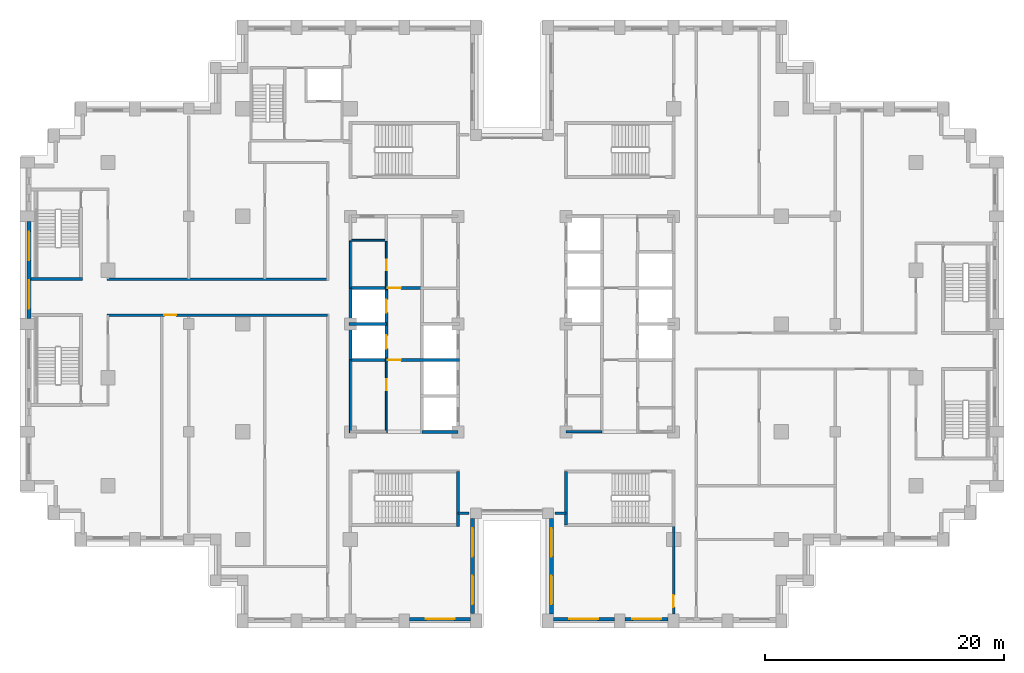
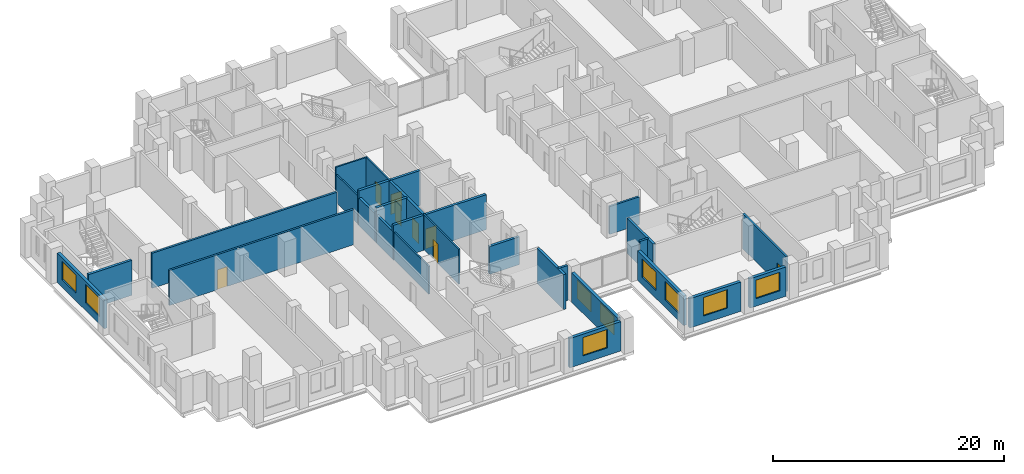
# One storey, part 7 of 16: 26 walls, 9 windows, 8 doors, 17 openings.
"""IFC4 building model written with IfcOpenShell, lengths in metres."""

from ifc_helpers import new_model, si_unit, direction, frame, frame_2d, origin, place, context, subcontext, project, spatial, rectangle, extrude, material, layer, layer_set, type_object, element, fill, save


model = new_model("IFC4")

# Units and contexts
model_context = context("Model", 3, precision=1e-05, world=origin(), true_north=direction((0.0, 1.0)))
body_context = subcontext(model_context, "Body", "Model", "MODEL_VIEW")
ifc_project = project(units=[si_unit("LENGTHUNIT", "METRE"), si_unit("AREAUNIT", "SQUARE_METRE"), si_unit("VOLUMEUNIT", "CUBIC_METRE"), si_unit("PLANEANGLEUNIT", "RADIAN"), si_unit("MASSUNIT", "GRAM", prefix="KILO")], contexts=[model_context])

# Site, building, storey
site_placement = place(None, origin())
site = spatial("IfcSite", under=ifc_project, at=site_placement, CompositionType="ELEMENT")
building_placement = place(site_placement, origin())
building = spatial("IfcBuilding", under=site, at=building_placement, Name="Corbelhall Arena Tower", CompositionType="ELEMENT")
storey_placement = place(building_placement, frame((0.0, 0.0, 108.0)))
storey = spatial("IfcBuildingStorey", under=building, at=storey_placement, Name="L19", CompositionType="ELEMENT", Elevation=108.0)

# Wall, openings, windows
ifc_material_1 = material(Name="Precast concrete C40/50 with granite facing", Category="masonry")
ifc_layer_1 = layer(ifc_material_1, 0.300048828125)
ifc_layer_set_1 = layer_set([ifc_layer_1], Name="EV-IW1 Infill panel 300")
wall_type_1 = type_object("IfcWallType", Name="EV-IW1 Infill panel 300", PredefinedType="SOLIDWALL", material=ifc_layer_set_1)
wall_1_placement = place(storey_placement, frame((-40.35009765625, 8.550048828125, 0.0), z_axis=(0.0, 0.0, 1.0), x_axis=(0.0, -1.0, 0.0)))
wall_1 = element("IfcWall", 1, at=wall_1_placement, inside=storey, type_object=wall_type_1, Name="Infill panel IW1", PredefinedType="SOLIDWALL", context=body_context, shape_type="SweptSolid", body=[
    extrude(rectangle(XDim=8.10009765625, YDim=0.300048828125, at=frame_2d((4.050048828125, 0.0))), origin(), (0.0, 0.0, 1.0), 3.10009765625),
])
opening_1_placement = place(wall_1_placement, frame((0.824951171875, 0.0, 0.800048828125)))
opening_1 = element("IfcOpeningElement", 2, at=opening_1_placement, cuts=wall_1, Name="Opening WN1", PredefinedType="OPENING", context=body_context, shape_type="SweptSolid", body=[
    extrude(rectangle(XDim=2.39990234375, YDim=1.949951171875, at=frame_2d((1.199951171875, 0.97509765625))), frame((0.0, 0.14990234375, 0.0), z_axis=(0.0, -1.0, 0.0), x_axis=(1.0, 0.0, 0.0)), (0.0, 0.0, 1.0), 0.300048828125),
])
opening_2_placement = place(wall_1_placement, frame((4.875, 0.0, 0.800048828125)))
opening_2 = element("IfcOpeningElement", 3, at=opening_2_placement, cuts=wall_1, Name="Opening WN1", PredefinedType="OPENING", context=body_context, shape_type="SweptSolid", body=[
    extrude(rectangle(XDim=2.39990234375, YDim=1.949951171875, at=frame_2d((1.199951171875, 0.97509765625))), frame((0.0, 0.14990234375, 0.0), z_axis=(0.0, -1.0, 0.0), x_axis=(1.0, 0.0, 0.0)), (0.0, 0.0, 1.0), 0.300048828125),
])
ifc_material_2 = material(Name="Aluminium black anodised", Category="aluminium")
window_type = type_object("IfcWindowType", Name="EV-WN1 Office window", PartitioningType="SINGLE_PANEL", PredefinedType="WINDOW", material=ifc_material_2)
window_1_placement = place(opening_1_placement, origin())
window_1 = element("IfcWindow", 4, at=window_1_placement, inside=storey, type_object=window_type, Name="Window WN1", OverallHeight=1.949951171875, OverallWidth=2.39990234375, PartitioningType="SINGLE_PANEL", PredefinedType="WINDOW", context=body_context, shape_type="SweptSolid", body=[
    extrude(rectangle(XDim=2.39990234375, YDim=1.949951171875, at=frame_2d((1.199951171875, 0.97509765625))), frame((0.0, 0.030029296875, 0.0), z_axis=(0.0, -1.0, 0.0), x_axis=(1.0, 0.0, 0.0)), (0.0, 0.0, 1.0), 0.06005859375),
])
fill(opening_1, window_1)
window_2_placement = place(opening_2_placement, origin())
window_2 = element("IfcWindow", 5, at=window_2_placement, inside=storey, type_object=window_type, Name="Window WN1", OverallHeight=1.949951171875, OverallWidth=2.39990234375, PartitioningType="SINGLE_PANEL", PredefinedType="WINDOW", context=body_context, shape_type="SweptSolid", body=[
    extrude(rectangle(XDim=2.39990234375, YDim=1.949951171875, at=frame_2d((1.199951171875, 0.97509765625))), frame((0.0, 0.030029296875, 0.0), z_axis=(0.0, -1.0, 0.0), x_axis=(1.0, 0.0, 0.0)), (0.0, 0.0, 1.0), 0.06005859375),
])
fill(opening_2, window_2)

# Wall, opening, window
wall_2_placement = place(storey_placement, frame((-8.550048828125, -24.64990234375, 0.0), z_axis=(0.0, 0.0, 1.0), x_axis=(1.0, 0.0, 0.0)))
wall_2 = element("IfcWall", 6, at=wall_2_placement, inside=storey, type_object=wall_type_1, Name="Infill panel IW1", PredefinedType="SOLIDWALL", context=body_context, shape_type="SweptSolid", body=[
    extrude(rectangle(XDim=5.10009765625, YDim=0.300048828125, at=frame_2d((2.550048828125, 0.0))), origin(), (0.0, 0.0, 1.0), 3.10009765625),
])
opening_3_placement = place(wall_2_placement, frame((1.35009765625, 0.0, 0.800048828125)))
opening_3 = element("IfcOpeningElement", 7, at=opening_3_placement, cuts=wall_2, Name="Opening WN1", PredefinedType="OPENING", context=body_context, shape_type="SweptSolid", body=[
    extrude(rectangle(XDim=2.39990234375, YDim=1.949951171875, at=frame_2d((1.199951171875, 0.97509765625))), frame((0.0, 0.14990234375, 0.0), z_axis=(0.0, -1.0, 0.0), x_axis=(1.0, 0.0, 0.0)), (0.0, 0.0, 1.0), 0.300048828125),
])
window_3_placement = place(opening_3_placement, origin())
window_3 = element("IfcWindow", 8, at=window_3_placement, inside=storey, type_object=window_type, Name="Window WN1", OverallHeight=1.949951171875, OverallWidth=2.39990234375, PartitioningType="SINGLE_PANEL", PredefinedType="WINDOW", context=body_context, shape_type="SweptSolid", body=[
    extrude(rectangle(XDim=2.39990234375, YDim=1.949951171875, at=frame_2d((1.199951171875, 0.97509765625))), frame((0.0, 0.030029296875, 0.0), z_axis=(0.0, -1.0, 0.0), x_axis=(1.0, 0.0, 0.0)), (0.0, 0.0, 1.0), 0.06005859375),
])
fill(opening_3, window_3)

# Wall, openings, windows
wall_3_placement = place(storey_placement, frame((-3.300048828125, -24.199951171875, 0.0), z_axis=(0.0, 0.0, 1.0), x_axis=(0.0, 1.0, 0.0)))
wall_3 = element("IfcWall", 9, at=wall_3_placement, inside=storey, type_object=wall_type_1, Name="Infill panel IW1", PredefinedType="SOLIDWALL", context=body_context, shape_type="SweptSolid", body=[
    extrude(rectangle(XDim=7.949951171875, YDim=0.300048828125, at=frame_2d((3.97509765625, 0.0))), origin(), (0.0, 0.0, 1.0), 3.10009765625),
])
opening_4_placement = place(wall_3_placement, frame((0.78759765625, 0.0, 0.800048828125)))
opening_4 = element("IfcOpeningElement", 10, at=opening_4_placement, cuts=wall_3, Name="Opening WN1", PredefinedType="OPENING", context=body_context, shape_type="SweptSolid", body=[
    extrude(rectangle(XDim=2.39990234375, YDim=1.949951171875, at=frame_2d((1.199951171875, 0.97509765625))), frame((0.0, 0.14990234375, 0.0), z_axis=(0.0, -1.0, 0.0), x_axis=(1.0, 0.0, 0.0)), (0.0, 0.0, 1.0), 0.300048828125),
])
opening_5_placement = place(wall_3_placement, frame((4.762451171875, 0.0, 0.800048828125)))
opening_5 = element("IfcOpeningElement", 11, at=opening_5_placement, cuts=wall_3, Name="Opening WN1", PredefinedType="OPENING", context=body_context, shape_type="SweptSolid", body=[
    extrude(rectangle(XDim=2.39990234375, YDim=1.949951171875, at=frame_2d((1.199951171875, 0.97509765625))), frame((0.0, 0.14990234375, 0.0), z_axis=(0.0, -1.0, 0.0), x_axis=(1.0, 0.0, 0.0)), (0.0, 0.0, 1.0), 0.300048828125),
])
window_4_placement = place(opening_4_placement, origin())
window_4 = element("IfcWindow", 12, at=window_4_placement, inside=storey, type_object=window_type, Name="Window WN1", OverallHeight=1.949951171875, OverallWidth=2.39990234375, PartitioningType="SINGLE_PANEL", PredefinedType="WINDOW", context=body_context, shape_type="SweptSolid", body=[
    extrude(rectangle(XDim=2.39990234375, YDim=1.949951171875, at=frame_2d((1.199951171875, 0.97509765625))), frame((0.0, 0.030029296875, 0.0), z_axis=(0.0, -1.0, 0.0), x_axis=(1.0, 0.0, 0.0)), (0.0, 0.0, 1.0), 0.06005859375),
])
fill(opening_4, window_4)
window_5_placement = place(opening_5_placement, origin())
window_5 = element("IfcWindow", 13, at=window_5_placement, inside=storey, type_object=window_type, Name="Window WN1", OverallHeight=1.949951171875, OverallWidth=2.39990234375, PartitioningType="SINGLE_PANEL", PredefinedType="WINDOW", context=body_context, shape_type="SweptSolid", body=[
    extrude(rectangle(XDim=2.39990234375, YDim=1.949951171875, at=frame_2d((1.199951171875, 0.97509765625))), frame((0.0, 0.030029296875, 0.0), z_axis=(0.0, -1.0, 0.0), x_axis=(1.0, 0.0, 0.0)), (0.0, 0.0, 1.0), 0.06005859375),
])
fill(opening_5, window_5)

wall_4_placement = place(storey_placement, frame((3.300048828125, -16.25, 0.0), z_axis=(0.0, 0.0, 1.0), x_axis=(0.0, -1.0, 0.0)))
wall_4 = element("IfcWall", 14, at=wall_4_placement, inside=storey, type_object=wall_type_1, Name="Infill panel IW1", PredefinedType="SOLIDWALL", context=body_context, shape_type="SweptSolid", body=[
    extrude(rectangle(XDim=7.949951171875, YDim=0.300048828125, at=frame_2d((3.97509765625, 0.0))), origin(), (0.0, 0.0, 1.0), 3.10009765625),
])
opening_6_placement = place(wall_4_placement, frame((0.78759765625, 0.0, 0.800048828125)))
opening_6 = element("IfcOpeningElement", 15, at=opening_6_placement, cuts=wall_4, Name="Opening WN1", PredefinedType="OPENING", context=body_context, shape_type="SweptSolid", body=[
    extrude(rectangle(XDim=2.39990234375, YDim=1.949951171875, at=frame_2d((1.199951171875, 0.97509765625))), frame((0.0, 0.14990234375, 0.0), z_axis=(0.0, -1.0, 0.0), x_axis=(1.0, 0.0, 0.0)), (0.0, 0.0, 1.0), 0.300048828125),
])
opening_7_placement = place(wall_4_placement, frame((4.762451171875, 0.0, 0.800048828125)))
opening_7 = element("IfcOpeningElement", 16, at=opening_7_placement, cuts=wall_4, Name="Opening WN1", PredefinedType="OPENING", context=body_context, shape_type="SweptSolid", body=[
    extrude(rectangle(XDim=2.39990234375, YDim=1.949951171875, at=frame_2d((1.199951171875, 0.97509765625))), frame((0.0, 0.14990234375, 0.0), z_axis=(0.0, -1.0, 0.0), x_axis=(1.0, 0.0, 0.0)), (0.0, 0.0, 1.0), 0.300048828125),
])
window_6_placement = place(opening_6_placement, origin())
window_6 = element("IfcWindow", 17, at=window_6_placement, inside=storey, type_object=window_type, Name="Window WN1", OverallHeight=1.949951171875, OverallWidth=2.39990234375, PartitioningType="SINGLE_PANEL", PredefinedType="WINDOW", context=body_context, shape_type="SweptSolid", body=[
    extrude(rectangle(XDim=2.39990234375, YDim=1.949951171875, at=frame_2d((1.199951171875, 0.97509765625))), frame((0.0, 0.030029296875, 0.0), z_axis=(0.0, -1.0, 0.0), x_axis=(1.0, 0.0, 0.0)), (0.0, 0.0, 1.0), 0.06005859375),
])
fill(opening_6, window_6)
window_7_placement = place(opening_7_placement, origin())
window_7 = element("IfcWindow", 18, at=window_7_placement, inside=storey, type_object=window_type, Name="Window WN1", OverallHeight=1.949951171875, OverallWidth=2.39990234375, PartitioningType="SINGLE_PANEL", PredefinedType="WINDOW", context=body_context, shape_type="SweptSolid", body=[
    extrude(rectangle(XDim=2.39990234375, YDim=1.949951171875, at=frame_2d((1.199951171875, 0.97509765625))), frame((0.0, 0.030029296875, 0.0), z_axis=(0.0, -1.0, 0.0), x_axis=(1.0, 0.0, 0.0)), (0.0, 0.0, 1.0), 0.06005859375),
])
fill(opening_7, window_7)

# Wall, opening, window
wall_5_placement = place(storey_placement, frame((3.449951171875, -24.64990234375, 0.0), z_axis=(0.0, 0.0, 1.0), x_axis=(1.0, 0.0, 0.0)))
wall_5 = element("IfcWall", 19, at=wall_5_placement, inside=storey, type_object=wall_type_1, Name="Infill panel IW1", PredefinedType="SOLIDWALL", context=body_context, shape_type="SweptSolid", body=[
    extrude(rectangle(XDim=5.10009765625, YDim=0.300048828125, at=frame_2d((2.550048828125, 0.0))), origin(), (0.0, 0.0, 1.0), 3.10009765625),
])
opening_8_placement = place(wall_5_placement, frame((1.35009765625, 0.0, 0.800048828125)))
opening_8 = element("IfcOpeningElement", 20, at=opening_8_placement, cuts=wall_5, Name="Opening WN1", PredefinedType="OPENING", context=body_context, shape_type="SweptSolid", body=[
    extrude(rectangle(XDim=2.39990234375, YDim=1.949951171875, at=frame_2d((1.199951171875, 0.97509765625))), frame((0.0, 0.14990234375, 0.0), z_axis=(0.0, -1.0, 0.0), x_axis=(1.0, 0.0, 0.0)), (0.0, 0.0, 1.0), 0.300048828125),
])
window_8_placement = place(opening_8_placement, origin())
window_8 = element("IfcWindow", 21, at=window_8_placement, inside=storey, type_object=window_type, Name="Window WN1", OverallHeight=1.949951171875, OverallWidth=2.39990234375, PartitioningType="SINGLE_PANEL", PredefinedType="WINDOW", context=body_context, shape_type="SweptSolid", body=[
    extrude(rectangle(XDim=2.39990234375, YDim=1.949951171875, at=frame_2d((1.199951171875, 0.97509765625))), frame((0.0, 0.030029296875, 0.0), z_axis=(0.0, -1.0, 0.0), x_axis=(1.0, 0.0, 0.0)), (0.0, 0.0, 1.0), 0.06005859375),
])
fill(opening_8, window_8)

wall_6_placement = place(storey_placement, frame((9.449951171875, -24.64990234375, 0.0), z_axis=(0.0, 0.0, 1.0), x_axis=(1.0, 0.0, 0.0)))
wall_6 = element("IfcWall", 22, at=wall_6_placement, inside=storey, type_object=wall_type_1, Name="Infill panel IW1", PredefinedType="SOLIDWALL", context=body_context, shape_type="SweptSolid", body=[
    extrude(rectangle(XDim=3.60009765625, YDim=0.300048828125, at=frame_2d((1.800048828125, 0.0))), origin(), (0.0, 0.0, 1.0), 3.10009765625),
])
opening_9_placement = place(wall_6_placement, frame((0.60009765625, 0.0, 0.800048828125)))
opening_9 = element("IfcOpeningElement", 23, at=opening_9_placement, cuts=wall_6, Name="Opening WN1", PredefinedType="OPENING", context=body_context, shape_type="SweptSolid", body=[
    extrude(rectangle(XDim=2.39990234375, YDim=1.949951171875, at=frame_2d((1.199951171875, 0.97509765625))), frame((0.0, 0.14990234375, 0.0), z_axis=(0.0, -1.0, 0.0), x_axis=(1.0, 0.0, 0.0)), (0.0, 0.0, 1.0), 0.300048828125),
])
window_9_placement = place(opening_9_placement, origin())
window_9 = element("IfcWindow", 24, at=window_9_placement, inside=storey, type_object=window_type, Name="Window WN1", OverallHeight=1.949951171875, OverallWidth=2.39990234375, PartitioningType="SINGLE_PANEL", PredefinedType="WINDOW", context=body_context, shape_type="SweptSolid", body=[
    extrude(rectangle(XDim=2.39990234375, YDim=1.949951171875, at=frame_2d((1.199951171875, 0.97509765625))), frame((0.0, 0.030029296875, 0.0), z_axis=(0.0, -1.0, 0.0), x_axis=(1.0, 0.0, 0.0)), (0.0, 0.0, 1.0), 0.06005859375),
])
fill(opening_9, window_9)

# Wall
ifc_material_3 = material(Name="Gypsum board on steel stud, acoustic", Category="steel")
ifc_layer_2 = layer(ifc_material_3, 0.199951171875)
ifc_layer_set_2 = layer_set([ifc_layer_2], Name="IN-W-DM200")
wall_type_2 = type_object("IfcWallType", Name="IN-W-DM200", PredefinedType="PARTITIONING", material=ifc_layer_set_2)
wall_7_placement = place(storey_placement, frame((-33.85009765625, 3.75, 0.0), z_axis=(0.0, 0.0, 1.0), x_axis=(1.0, 0.0, 0.0)))
element("IfcWall", 25, at=wall_7_placement, inside=storey, type_object=wall_type_2, Name="Partition 002", PredefinedType="PARTITIONING", context=body_context, shape_type="SweptSolid", body=[
    extrude(rectangle(XDim=18.4501953125, YDim=0.199951171875, at=frame_2d((9.22509765625, 0.0))), origin(), (0.0, 0.0, 1.0), 3.699951171875),
])

# Wall, opening, door
wall_8_placement = place(storey_placement, frame((-15.39990234375, 0.75, 0.0), z_axis=(0.0, 0.0, 1.0), x_axis=(-1.0, 0.0, 0.0)))
wall_8 = element("IfcWall", 26, at=wall_8_placement, inside=storey, type_object=wall_type_2, Name="Partition 007", PredefinedType="PARTITIONING", context=body_context, shape_type="SweptSolid", body=[
    extrude(rectangle(XDim=18.4501953125, YDim=0.199951171875, at=frame_2d((9.22509765625, 0.0))), origin(), (0.0, 0.0, 1.0), 3.699951171875),
])
opening_10_placement = place(wall_8_placement, frame((12.64990234375, 0.0, 0.0)))
opening_10 = element("IfcOpeningElement", 27, at=opening_10_placement, cuts=wall_8, Name="Opening 04041", PredefinedType="OPENING", context=body_context, shape_type="SweptSolid", body=[
    extrude(rectangle(XDim=1.0, YDim=2.10009765625, at=frame_2d((0.5, 1.050048828125))), frame((0.0, 0.10009765625, 0.0), z_axis=(0.0, -1.0, 0.0), x_axis=(1.0, 0.0, 0.0)), (0.0, 0.0, 1.0), 0.199951171875),
])
ifc_material_4 = material(Name="Steel door set", Category="steel")
door_type_1 = type_object("IfcDoorType", Name="IN-D-SW100", OperationType="NOTDEFINED", PredefinedType="DOOR", material=ifc_material_4)
door_1_placement = place(opening_10_placement, origin())
door_1 = element("IfcDoor", 28, at=door_1_placement, inside=storey, type_object=door_type_1, Name="Door 041", OperationType="SINGLE_SWING_RIGHT", OverallHeight=2.10009765625, OverallWidth=1.0, PredefinedType="DOOR", context=body_context, shape_type="SweptSolid", body=[
    extrude(rectangle(XDim=1.0, YDim=2.10009765625, at=frame_2d((0.5, 1.050048828125))), frame((0.0, 0.02490234375, 0.0), z_axis=(0.0, -1.0, 0.0), x_axis=(1.0, 0.0, 0.0)), (0.0, 0.0, 1.0), 0.050048828125),
])
fill(opening_10, door_1)

# Walls
for number, where, z_axis, x_axis, name in (
    (29, (-3.60009765625, -15.800048828125, 0.0), (0.0, 0.0, 1.0), (-1.0, 0.0, 0.0), "Partition 022"),
    (30, (4.5, -15.800048828125, 0.0), (0.0, 0.0, 1.0), (-1.0, 0.0, 0.0), "Partition 024"),
):
    element("IfcWall", number, at=place(storey_placement, frame(where, z_axis=z_axis, x_axis=x_axis)), inside=storey, type_object=wall_type_2, Name=name, PredefinedType="PARTITIONING", context=body_context, shape_type="SweptSolid", body=[
        extrude(rectangle(XDim=0.89990234375, YDim=0.199951171875, at=frame_2d((0.449951171875, 0.0))), origin(), (0.0, 0.0, 1.0), 3.699951171875),
    ])

# Wall, opening, door
wall_9_placement = place(storey_placement, frame((13.5, -24.199951171875, 0.0), z_axis=(0.0, 0.0, 1.0), x_axis=(0.0, 1.0, 0.0)))
wall_9 = element("IfcWall", 31, at=wall_9_placement, inside=storey, type_object=wall_type_2, Name="Partition 025", PredefinedType="PARTITIONING", context=body_context, shape_type="SweptSolid", body=[
    extrude(rectangle(XDim=7.52490234375, YDim=0.199951171875, at=frame_2d((3.762451171875, 0.0))), origin(), (0.0, 0.0, 1.0), 3.699951171875),
])
opening_11_placement = place(wall_9_placement, frame((0.550048828125, 0.0, 0.0)))
opening_11 = element("IfcOpeningElement", 32, at=opening_11_placement, cuts=wall_9, Name="Opening 04026", PredefinedType="OPENING", context=body_context, shape_type="SweptSolid", body=[
    extrude(rectangle(XDim=1.0, YDim=2.10009765625, at=frame_2d((0.5, 1.050048828125))), frame((0.0, 0.10009765625, 0.0), z_axis=(0.0, -1.0, 0.0), x_axis=(1.0, 0.0, 0.0)), (0.0, 0.0, 1.0), 0.199951171875),
])
door_2_placement = place(opening_11_placement, origin())
door_2 = element("IfcDoor", 33, at=door_2_placement, inside=storey, type_object=door_type_1, Name="Door 026", OperationType="SINGLE_SWING_LEFT", OverallHeight=2.10009765625, OverallWidth=1.0, PredefinedType="DOOR", context=body_context, shape_type="SweptSolid", body=[
    extrude(rectangle(XDim=1.0, YDim=2.10009765625, at=frame_2d((0.5, 1.050048828125))), frame((0.0, 0.02490234375, 0.0), z_axis=(0.0, -1.0, 0.0), x_axis=(1.0, 0.0, 0.0)), (0.0, 0.0, 1.0), 0.050048828125),
])
fill(opening_11, door_2)

# Walls
ifc_material_5 = material(Name="Concrete block wall", Category="concrete")
ifc_layer_3 = layer(ifc_material_5, 0.199951171875)
ifc_layer_set_3 = layer_set([ifc_layer_3], Name="IN-W-RS200 under beam 762 mm")
wall_type_3 = type_object("IfcWallType", Name="IN-W-RS200 under beam 762 mm", PredefinedType="SOLIDWALL", material=ifc_layer_set_3)
wall_10_placement = place(storey_placement, frame((7.5, -9.0, 0.0), z_axis=(0.0, 0.0, 1.0), x_axis=(-1.0, 0.0, 0.0)))
element("IfcWall", 34, at=wall_10_placement, inside=storey, type_object=wall_type_3, Name="Partition 053", PredefinedType="SOLIDWALL", context=body_context, shape_type="SweptSolid", body=[
    extrude(rectangle(XDim=3.0, YDim=0.199951171875, at=frame_2d((1.5, 0.0))), origin(), (0.0, 0.0, 1.0), 2.93798828125),
])
ifc_material_6 = material(Name="Concrete C40/50", Category="concrete")
ifc_layer_4 = layer(ifc_material_6, 0.25)
ifc_layer_set_4 = layer_set([ifc_layer_4], Name="IN-W-SH250")
wall_type_4 = type_object("IfcWallType", Name="IN-W-SH250", PredefinedType="SOLIDWALL", material=ifc_layer_set_4)
wall_11_placement = place(storey_placement, frame((-13.625, 0.0, 0.0), z_axis=(0.0, 0.0, 1.0), x_axis=(1.0, 0.0, 0.0)))
element("IfcWall", 35, at=wall_11_placement, inside=storey, type_object=wall_type_4, Name="Shaft wall 060", PredefinedType="SOLIDWALL", context=body_context, shape_type="SweptSolid", body=[
    extrude(rectangle(XDim=3.125, YDim=0.25, at=frame_2d((1.5625, 0.0))), origin(), (0.0, 0.0, 1.0), 3.699951171875),
])

# Wall, opening, door
wall_12_placement = place(storey_placement, frame((-13.625, 3.0, 0.0), z_axis=(0.0, 0.0, 1.0), x_axis=(1.0, 0.0, 0.0)))
wall_12 = element("IfcWall", 36, at=wall_12_placement, inside=storey, type_object=wall_type_4, Name="Shaft wall 061", PredefinedType="SOLIDWALL", context=body_context, shape_type="SweptSolid", body=[
    extrude(rectangle(XDim=6.125, YDim=0.25, at=frame_2d((3.0625, 0.0))), origin(), (0.0, 0.0, 1.0), 3.699951171875),
])
opening_12_placement = place(wall_12_placement, frame((3.25, 0.0, 0.0)))
opening_12 = element("IfcOpeningElement", 37, at=opening_12_placement, cuts=wall_12, Name="Opening 04004", PredefinedType="OPENING", context=body_context, shape_type="SweptSolid", body=[
    extrude(rectangle(XDim=1.10009765625, YDim=2.10009765625, at=frame_2d((0.550048828125, 1.050048828125))), frame((0.0, 0.125, 0.0), z_axis=(0.0, -1.0, 0.0), x_axis=(1.0, 0.0, 0.0)), (0.0, 0.0, 1.0), 0.25),
])
door_type_2 = type_object("IfcDoorType", Name="IN-D-FD110", OperationType="NOTDEFINED", PredefinedType="DOOR", material=ifc_material_4)
door_3_placement = place(opening_12_placement, origin())
door_3 = element("IfcDoor", 38, at=door_3_placement, inside=storey, type_object=door_type_2, Name="Door 004", OperationType="SINGLE_SWING_LEFT", OverallHeight=2.10009765625, OverallWidth=1.10009765625, PredefinedType="DOOR", context=body_context, shape_type="SweptSolid", body=[
    extrude(rectangle(XDim=1.10009765625, YDim=2.10009765625, at=frame_2d((0.550048828125, 1.050048828125))), frame((0.0, 0.02490234375, 0.0), z_axis=(0.0, -1.0, 0.0), x_axis=(1.0, 0.0, 0.0)), (0.0, 0.0, 1.0), 0.050048828125),
])
fill(opening_12, door_3)

wall_13_placement = place(storey_placement, frame((-13.625, -3.0, 0.0), z_axis=(0.0, 0.0, 1.0), x_axis=(1.0, 0.0, 0.0)))
wall_13 = element("IfcWall", 39, at=wall_13_placement, inside=storey, type_object=wall_type_4, Name="Shaft wall 063", PredefinedType="SOLIDWALL", context=body_context, shape_type="SweptSolid", body=[
    extrude(rectangle(XDim=9.25, YDim=0.25, at=frame_2d((4.625, 0.0))), origin(), (0.0, 0.0, 1.0), 3.699951171875),
])
opening_13_placement = place(wall_13_placement, frame((3.25, 0.0, 0.0)))
opening_13 = element("IfcOpeningElement", 40, at=opening_13_placement, cuts=wall_13, Name="Opening 04003", PredefinedType="OPENING", context=body_context, shape_type="SweptSolid", body=[
    extrude(rectangle(XDim=1.10009765625, YDim=2.10009765625, at=frame_2d((0.550048828125, 1.050048828125))), frame((0.0, 0.125, 0.0), z_axis=(0.0, -1.0, 0.0), x_axis=(1.0, 0.0, 0.0)), (0.0, 0.0, 1.0), 0.25),
])
door_4_placement = place(opening_13_placement, origin())
door_4 = element("IfcDoor", 41, at=door_4_placement, inside=storey, type_object=door_type_2, Name="Door 003", OperationType="SINGLE_SWING_RIGHT", OverallHeight=2.10009765625, OverallWidth=1.10009765625, PredefinedType="DOOR", context=body_context, shape_type="SweptSolid", body=[
    extrude(rectangle(XDim=1.10009765625, YDim=2.10009765625, at=frame_2d((0.550048828125, 1.050048828125))), frame((0.0, 0.02490234375, 0.0), z_axis=(0.0, -1.0, 0.0), x_axis=(1.0, 0.0, 0.0)), (0.0, 0.0, 1.0), 0.050048828125),
])
fill(opening_13, door_4)

# Wall, openings, doors
wall_14_placement = place(storey_placement, frame((-10.5, -3.125, 0.0), z_axis=(0.0, 0.0, 1.0), x_axis=(0.0, 1.0, 0.0)))
wall_14 = element("IfcWall", 42, at=wall_14_placement, inside=storey, type_object=wall_type_4, Name="Shaft wall 064", PredefinedType="SOLIDWALL", context=body_context, shape_type="SweptSolid", body=[
    extrude(rectangle(XDim=6.25, YDim=0.25, at=frame_2d((3.125, 0.0))), origin(), (0.0, 0.0, 1.0), 3.699951171875),
])
opening_14_placement = place(wall_14_placement, frame((1.074951171875, 0.0, 0.0)))
opening_14 = element("IfcOpeningElement", 43, at=opening_14_placement, cuts=wall_14, Name="Opening LD", PredefinedType="OPENING", context=body_context, shape_type="SweptSolid", body=[
    extrude(rectangle(XDim=1.10009765625, YDim=2.10009765625, at=frame_2d((0.550048828125, 1.050048828125))), frame((0.0, 0.125, 0.0), z_axis=(0.0, -1.0, 0.0), x_axis=(1.0, 0.0, 0.0)), (0.0, 0.0, 1.0), 0.25),
])
opening_15_placement = place(wall_14_placement, frame((4.074951171875, 0.0, 0.0)))
opening_15 = element("IfcOpeningElement", 44, at=opening_15_placement, cuts=wall_14, Name="Opening LD", PredefinedType="OPENING", context=body_context, shape_type="SweptSolid", body=[
    extrude(rectangle(XDim=1.10009765625, YDim=2.10009765625, at=frame_2d((0.550048828125, 1.050048828125))), frame((0.0, 0.125, 0.0), z_axis=(0.0, -1.0, 0.0), x_axis=(1.0, 0.0, 0.0)), (0.0, 0.0, 1.0), 0.25),
])
door_type_3 = type_object("IfcDoorType", Name="IN-D-LD110", OperationType="NOTDEFINED", PredefinedType="DOOR", material=ifc_material_4)
door_5_placement = place(opening_14_placement, origin())
door_5 = element("IfcDoor", 45, at=door_5_placement, inside=storey, type_object=door_type_3, Name="Landing door W3", OperationType="SLIDING_TO_LEFT", OverallHeight=2.10009765625, OverallWidth=1.10009765625, PredefinedType="DOOR", context=body_context, shape_type="SweptSolid", body=[
    extrude(rectangle(XDim=1.10009765625, YDim=2.10009765625, at=frame_2d((0.550048828125, 1.050048828125))), frame((0.0, 0.02490234375, 0.0), z_axis=(0.0, -1.0, 0.0), x_axis=(1.0, 0.0, 0.0)), (0.0, 0.0, 1.0), 0.050048828125),
])
fill(opening_14, door_5)
door_6_placement = place(opening_15_placement, origin())
door_6 = element("IfcDoor", 46, at=door_6_placement, inside=storey, type_object=door_type_3, Name="Landing door W4", OperationType="SLIDING_TO_LEFT", OverallHeight=2.10009765625, OverallWidth=1.10009765625, PredefinedType="DOOR", context=body_context, shape_type="SweptSolid", body=[
    extrude(rectangle(XDim=1.10009765625, YDim=2.10009765625, at=frame_2d((0.550048828125, 1.050048828125))), frame((0.0, 0.02490234375, 0.0), z_axis=(0.0, -1.0, 0.0), x_axis=(1.0, 0.0, 0.0)), (0.0, 0.0, 1.0), 0.050048828125),
])
fill(opening_15, door_6)

# Walls
ifc_layer_5 = layer(ifc_material_6, 0.25)
ifc_layer_set_5 = layer_set([ifc_layer_5], Name="IN-W-SH250 under beam 762 mm")
wall_type_5 = type_object("IfcWallType", Name="IN-W-SH250 under beam 762 mm", PredefinedType="SOLIDWALL", material=ifc_layer_set_5)
wall_15_placement = place(storey_placement, frame((-13.5, -3.0, 0.0), z_axis=(0.0, 0.0, 1.0), x_axis=(0.0, 1.0, 0.0)))
element("IfcWall", 47, at=wall_15_placement, inside=storey, type_object=wall_type_5, Name="Shaft wall 062", PredefinedType="SOLIDWALL", context=body_context, shape_type="SweptSolid", body=[
    extrude(rectangle(XDim=6.0, YDim=0.25, at=frame_2d((3.0, 0.0))), origin(), (0.0, 0.0, 1.0), 2.93798828125),
])
wall_16_placement = place(storey_placement, frame((-4.5, -9.0, 0.0), z_axis=(0.0, 0.0, 1.0), x_axis=(-1.0, 0.0, 0.0)))
element("IfcWall", 48, at=wall_16_placement, inside=storey, type_object=wall_type_5, Name="Shaft wall 068", PredefinedType="SOLIDWALL", context=body_context, shape_type="SweptSolid", body=[
    extrude(rectangle(XDim=3.0, YDim=0.25, at=frame_2d((1.5, 0.0))), origin(), (0.0, 0.0, 1.0), 2.93798828125),
])
ifc_layer_6 = layer(ifc_material_6, 0.25)
ifc_layer_set_6 = layer_set([ifc_layer_6], Name="IN-W-ST250")
wall_type_6 = type_object("IfcWallType", Name="IN-W-ST250", PredefinedType="SOLIDWALL", material=ifc_layer_set_6)
wall_17_placement = place(storey_placement, frame((-40.199951171875, 3.75, 0.0), z_axis=(0.0, 0.0, 1.0), x_axis=(1.0, 0.0, 0.0)))
element("IfcWall", 49, at=wall_17_placement, inside=storey, type_object=wall_type_6, Name="Shaft wall 081", PredefinedType="SOLIDWALL", context=body_context, shape_type="SweptSolid", body=[
    extrude(rectangle(XDim=4.324951171875, YDim=0.25, at=frame_2d((2.16259765625, 0.0))), origin(), (0.0, 0.0, 1.0), 3.699951171875),
])
wall_18_placement = place(storey_placement, frame((-4.5, -12.300048828125, 0.0), z_axis=(0.0, 0.0, 1.0), x_axis=(0.0, -1.0, 0.0)))
element("IfcWall", 50, at=wall_18_placement, inside=storey, type_object=wall_type_6, Name="Shaft wall 092", PredefinedType="SOLIDWALL", context=body_context, shape_type="SweptSolid", body=[
    extrude(rectangle(XDim=4.625, YDim=0.25, at=frame_2d((2.3125, 0.0))), origin(), (0.0, 0.0, 1.0), 3.699951171875),
])
wall_19_placement = place(storey_placement, frame((4.5, -16.800048828125, 0.0), z_axis=(0.0, 0.0, 1.0), x_axis=(0.0, 1.0, 0.0)))
element("IfcWall", 51, at=wall_19_placement, inside=storey, type_object=wall_type_6, Name="Shaft wall 097", PredefinedType="SOLIDWALL", context=body_context, shape_type="SweptSolid", body=[
    extrude(rectangle(XDim=4.5, YDim=0.25, at=frame_2d((2.25, 0.0))), origin(), (0.0, 0.0, 1.0), 3.699951171875),
])
ifc_material_7 = material(Name="Gypsum board on steel stud, moisture resistant", Category="steel")
ifc_layer_7 = layer(ifc_material_7, 0.14990234375)
ifc_layer_set_7 = layer_set([ifc_layer_7], Name="IN-W-WC150")
wall_type_7 = type_object("IfcWallType", Name="IN-W-WC150", PredefinedType="PARTITIONING", material=ifc_layer_set_7)
wall_20_placement = place(storey_placement, frame((-13.60009765625, 7.0, 0.0), z_axis=(0.0, 0.0, 1.0), x_axis=(1.0, 0.0, 0.0)))
element("IfcWall", 52, at=wall_20_placement, inside=storey, type_object=wall_type_7, Name="Partition 109", PredefinedType="PARTITIONING", context=body_context, shape_type="SweptSolid", body=[
    extrude(rectangle(XDim=3.10009765625, YDim=0.14990234375, at=frame_2d((1.550048828125, 0.0))), origin(), (0.0, 0.0, 1.0), 3.699951171875),
])

# Wall, opening, door
wall_21_placement = place(storey_placement, frame((-10.5, -9.074951171875, 0.0), z_axis=(0.0, 0.0, 1.0), x_axis=(0.0, 1.0, 0.0)))
wall_21 = element("IfcWall", 53, at=wall_21_placement, inside=storey, type_object=wall_type_7, Name="Partition 112", PredefinedType="PARTITIONING", context=body_context, shape_type="SweptSolid", body=[
    extrude(rectangle(XDim=6.199951171875, YDim=0.14990234375, at=frame_2d((3.10009765625, 0.0))), origin(), (0.0, 0.0, 1.0), 3.699951171875),
])
opening_16_placement = place(wall_21_placement, frame((3.550048828125, 0.0, 0.0)))
opening_16 = element("IfcOpeningElement", 54, at=opening_16_placement, cuts=wall_21, Name="Opening 04005", PredefinedType="OPENING", context=body_context, shape_type="SweptSolid", body=[
    extrude(rectangle(XDim=0.89990234375, YDim=2.10009765625, at=frame_2d((0.449951171875, 1.050048828125))), frame((0.0, 0.074951171875, 0.0), z_axis=(0.0, -1.0, 0.0), x_axis=(1.0, 0.0, 0.0)), (0.0, 0.0, 1.0), 0.14990234375),
])
ifc_material_8 = material(Name="Timber door set", Category="wood")
door_type_4 = type_object("IfcDoorType", Name="IN-D-SW90", OperationType="NOTDEFINED", PredefinedType="DOOR", material=ifc_material_8)
door_7_placement = place(opening_16_placement, origin())
door_7 = element("IfcDoor", 55, at=door_7_placement, inside=storey, type_object=door_type_4, Name="Door 005", OperationType="SINGLE_SWING_RIGHT", OverallHeight=2.10009765625, OverallWidth=0.89990234375, PredefinedType="DOOR", context=body_context, shape_type="SweptSolid", body=[
    extrude(rectangle(XDim=0.89990234375, YDim=2.10009765625, at=frame_2d((0.449951171875, 1.050048828125))), frame((0.0, 0.02490234375, 0.0), z_axis=(0.0, -1.0, 0.0), x_axis=(1.0, 0.0, 0.0)), (0.0, 0.0, 1.0), 0.050048828125),
])
fill(opening_16, door_7)

wall_22_placement = place(storey_placement, frame((-10.5, 2.875, 0.0), z_axis=(0.0, 0.0, 1.0), x_axis=(0.0, 1.0, 0.0)))
wall_22 = element("IfcWall", 56, at=wall_22_placement, inside=storey, type_object=wall_type_7, Name="Partition 114", PredefinedType="PARTITIONING", context=body_context, shape_type="SweptSolid", body=[
    extrude(rectangle(XDim=4.199951171875, YDim=0.14990234375, at=frame_2d((2.10009765625, 0.0))), origin(), (0.0, 0.0, 1.0), 3.699951171875),
])
opening_17_placement = place(wall_22_placement, frame((1.60009765625, 0.0, 0.0)))
opening_17 = element("IfcOpeningElement", 57, at=opening_17_placement, cuts=wall_22, Name="Opening 04006", PredefinedType="OPENING", context=body_context, shape_type="SweptSolid", body=[
    extrude(rectangle(XDim=0.89990234375, YDim=2.10009765625, at=frame_2d((0.449951171875, 1.050048828125))), frame((0.0, 0.074951171875, 0.0), z_axis=(0.0, -1.0, 0.0), x_axis=(1.0, 0.0, 0.0)), (0.0, 0.0, 1.0), 0.14990234375),
])
door_8_placement = place(opening_17_placement, origin())
door_8 = element("IfcDoor", 58, at=door_8_placement, inside=storey, type_object=door_type_4, Name="Door 006", OperationType="SINGLE_SWING_LEFT", OverallHeight=2.10009765625, OverallWidth=0.89990234375, PredefinedType="DOOR", context=body_context, shape_type="SweptSolid", body=[
    extrude(rectangle(XDim=0.89990234375, YDim=2.10009765625, at=frame_2d((0.449951171875, 1.050048828125))), frame((0.0, 0.02490234375, 0.0), z_axis=(0.0, -1.0, 0.0), x_axis=(1.0, 0.0, 0.0)), (0.0, 0.0, 1.0), 0.050048828125),
])
fill(opening_17, door_8)

# Walls
ifc_layer_8 = layer(ifc_material_7, 0.14990234375)
ifc_layer_set_8 = layer_set([ifc_layer_8], Name="IN-W-WC150 under beam 762 mm")
wall_type_8 = type_object("IfcWallType", Name="IN-W-WC150 under beam 762 mm", PredefinedType="PARTITIONING", material=ifc_layer_set_8)
wall_23_placement = place(storey_placement, frame((-13.5, -9.074951171875, 0.0), z_axis=(0.0, 0.0, 1.0), x_axis=(0.0, 1.0, 0.0)))
element("IfcWall", 59, at=wall_23_placement, inside=storey, type_object=wall_type_8, Name="Partition 110", PredefinedType="PARTITIONING", context=body_context, shape_type="SweptSolid", body=[
    extrude(rectangle(XDim=6.074951171875, YDim=0.14990234375, at=frame_2d((3.03759765625, 0.0))), origin(), (0.0, 0.0, 1.0), 2.93798828125),
])
wall_24_placement = place(storey_placement, frame((-13.5, 3.0, 0.0), z_axis=(0.0, 0.0, 1.0), x_axis=(0.0, 1.0, 0.0)))
element("IfcWall", 60, at=wall_24_placement, inside=storey, type_object=wall_type_8, Name="Partition 111", PredefinedType="PARTITIONING", context=body_context, shape_type="SweptSolid", body=[
    extrude(rectangle(XDim=4.0, YDim=0.14990234375, at=frame_2d((2.0, 0.0))), origin(), (0.0, 0.0, 1.0), 2.93798828125),
])

save(model, "model.ifc")
